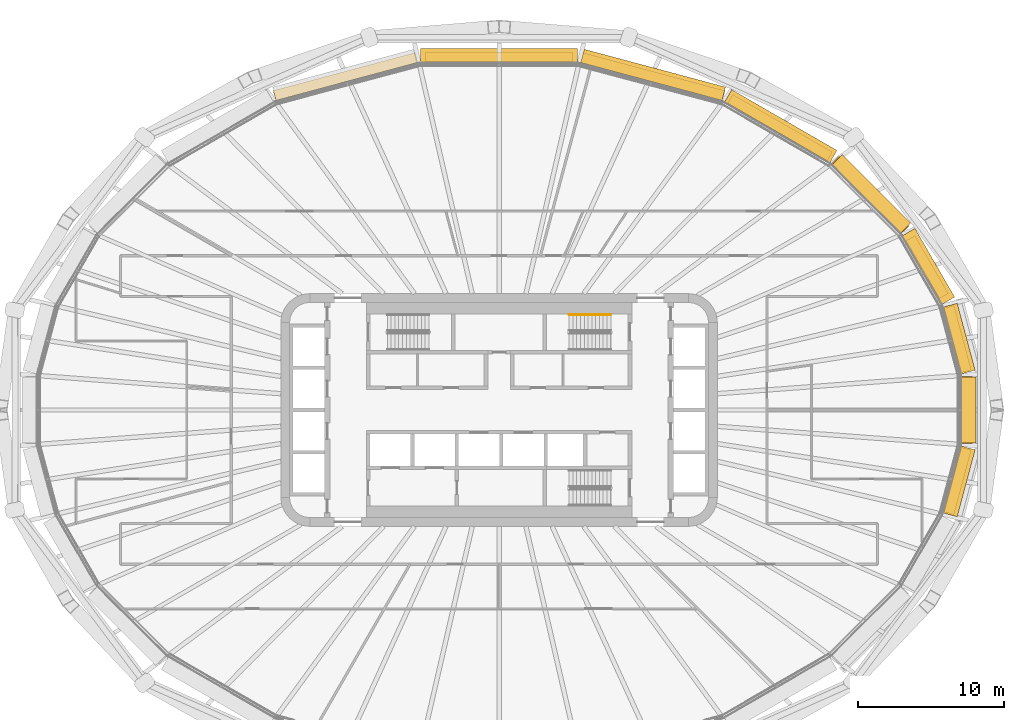
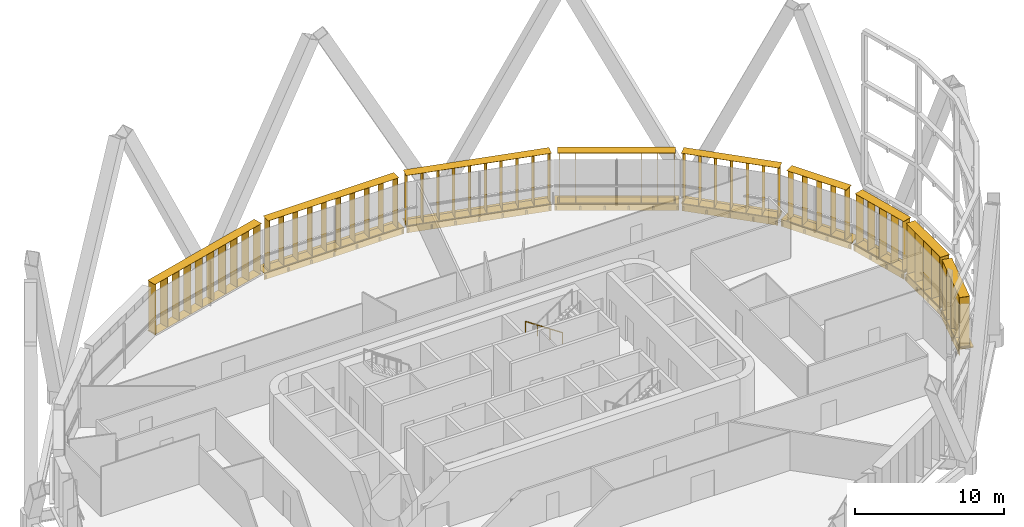
# One storey, part 26 of 26: 17 shading devices, 1 railing.
"""IFC4 building model written with IfcOpenShell, lengths in metres."""

from ifc_helpers import new_model, si_unit, direction, frame, origin, origin_2d, place, context, subcontext, project, spatial, rectangle, circle, extrude, material, type_object, element, save


model = new_model("IFC4")

# Units and contexts
model_context = context("Model", 3, precision=1e-05, world=origin(), true_north=direction((0.0, 1.0)))
body_context = subcontext(model_context, "Body", "Model", "MODEL_VIEW")
ifc_project = project(units=[si_unit("LENGTHUNIT", "METRE"), si_unit("AREAUNIT", "SQUARE_METRE"), si_unit("VOLUMEUNIT", "CUBIC_METRE"), si_unit("PLANEANGLEUNIT", "RADIAN"), si_unit("MASSUNIT", "GRAM", prefix="KILO")], contexts=[model_context])

# Site, building, storey
site_placement = place(None, origin())
site = spatial("IfcSite", under=ifc_project, at=site_placement, CompositionType="ELEMENT")
building_placement = place(site_placement, origin())
building = spatial("IfcBuilding", under=site, at=building_placement, Name="Sahrelin Media Tower", CompositionType="ELEMENT")
storey_placement = place(building_placement, frame((0.0, 0.0, 131.39990234375)))
storey = spatial("IfcBuildingStorey", under=building, at=storey_placement, Name="L26", CompositionType="ELEMENT", Elevation=131.39990234375)

# Shading devices
ifc_material_1 = material(Name="Champagne anodised aluminium 6063-T6", Category="aluminium")
shading_device_type_1 = type_object("IfcShadingDeviceType", Name="Fin cassette", PredefinedType="USERDEFINED", material=ifc_material_1)
placement_1 = place(storey_placement, frame((31.749267578125, 0.0, 0.0), z_axis=(0.0, 0.0, 1.0), x_axis=(0.0, -1.0, 0.0)))
element("IfcShadingDevice", 1, at=placement_1, inside=storey, type_object=shading_device_type_1, Name="L26:FIN:L26-00", ObjectType="FIN", PredefinedType="USERDEFINED", context=body_context, shape_type="SweptSolid", body=[
    extrude(rectangle(XDim=4.60009765625, YDim=0.699951171875, at=origin_2d()), frame((0.0, 0.419921875, 0.0)), (0.0, 0.0, 1.0), 0.02001953125),
    extrude(rectangle(XDim=4.60009765625, YDim=0.699951171875, at=origin_2d()), frame((0.0, 0.419921875, 4.10009765625)), (0.0, 0.0, 1.0), 0.02001953125),
    extrude(rectangle(XDim=0.02001953125, YDim=0.699951171875, at=origin_2d()), frame((-2.199951171875, 0.419921875, 0.010009765625), z_axis=(0.0, 0.0, 1.0), x_axis=(1.0, 0.0, 0.0)), (0.0, 0.0, 1.0), 4.10009765625),
    extrude(rectangle(XDim=0.02001953125, YDim=0.699951171875, at=origin_2d()), frame((-1.10009765625, 0.419921875, 0.010009765625), z_axis=(0.0, 0.0, 1.0), x_axis=(1.0, 0.0, 0.0)), (0.0, 0.0, 1.0), 4.10009765625),
    extrude(rectangle(XDim=0.02001953125, YDim=0.699951171875, at=origin_2d()), frame((0.0, 0.419921875, 0.010009765625), z_axis=(0.0, 0.0, 1.0), x_axis=(1.0, 0.0, 0.0)), (0.0, 0.0, 1.0), 4.10009765625),
    extrude(rectangle(XDim=0.02001953125, YDim=0.699951171875, at=origin_2d()), frame((1.10009765625, 0.419921875, 0.010009765625), z_axis=(0.0, 0.0, 1.0), x_axis=(1.0, 0.0, 0.0)), (0.0, 0.0, 1.0), 4.10009765625),
    extrude(rectangle(XDim=0.02001953125, YDim=0.699951171875, at=origin_2d()), frame((2.199951171875, 0.419921875, 0.010009765625), z_axis=(0.0, 0.0, 1.0), x_axis=(1.0, 0.0, 0.0)), (0.0, 0.0, 1.0), 4.10009765625),
])
placement_2 = place(storey_placement, frame((31.107421875, 4.76806640625, 0.0), z_axis=(0.0, 0.0, 1.0), x_axis=(0.258807731996, -0.965928857556, 0.0)))
element("IfcShadingDevice", 2, at=placement_2, inside=storey, type_object=shading_device_type_1, Name="L26:FIN:L26-01", ObjectType="FIN", PredefinedType="USERDEFINED", context=body_context, shape_type="SweptSolid", body=[
    extrude(rectangle(XDim=4.60009765625, YDim=0.699951171875, at=origin_2d()), frame((0.0, 0.419921875, 0.0)), (0.0, 0.0, 1.0), 0.02001953125),
    extrude(rectangle(XDim=4.60009765625, YDim=0.699951171875, at=origin_2d()), frame((0.0, 0.419921875, 4.10009765625)), (0.0, 0.0, 1.0), 0.02001953125),
    extrude(rectangle(XDim=0.02001953125, YDim=0.699951171875, at=origin_2d()), frame((-2.199951171875, 0.419921875, 0.010009765625), z_axis=(0.0, 0.0, 1.0), x_axis=(1.0, 0.0, 0.0)), (0.0, 0.0, 1.0), 4.10009765625),
    extrude(rectangle(XDim=0.02001953125, YDim=0.699951171875, at=origin_2d()), frame((-1.10009765625, 0.419921875, 0.010009765625), z_axis=(0.0, 0.0, 1.0), x_axis=(1.0, 0.0, 0.0)), (0.0, 0.0, 1.0), 4.10009765625),
    extrude(rectangle(XDim=0.02001953125, YDim=0.699951171875, at=origin_2d()), frame((0.0, 0.419921875, 0.010009765625), z_axis=(0.0, 0.0, 1.0), x_axis=(1.0, 0.0, 0.0)), (0.0, 0.0, 1.0), 4.10009765625),
    extrude(rectangle(XDim=0.02001953125, YDim=0.699951171875, at=origin_2d()), frame((1.10009765625, 0.419921875, 0.010009765625), z_axis=(0.0, 0.0, 1.0), x_axis=(1.0, 0.0, 0.0)), (0.0, 0.0, 1.0), 4.10009765625),
    extrude(rectangle(XDim=0.02001953125, YDim=0.699951171875, at=origin_2d()), frame((2.199951171875, 0.419921875, 0.010009765625), z_axis=(0.0, 0.0, 1.0), x_axis=(1.0, 0.0, 0.0)), (0.0, 0.0, 1.0), 4.10009765625),
])
placement_3 = place(storey_placement, frame((29.053955078125, 9.608642578125, 0.0), z_axis=(0.0, 0.0, 1.0), x_axis=(0.500011000363, -0.866019052629, 0.0)))
element("IfcShadingDevice", 3, at=placement_3, inside=storey, type_object=shading_device_type_1, Name="L26:FIN:L26-02", ObjectType="FIN", PredefinedType="USERDEFINED", context=body_context, shape_type="SweptSolid", body=[
    extrude(rectangle(XDim=4.60009765625, YDim=0.699951171875, at=origin_2d()), frame((0.0, 0.419921875, 0.0)), (0.0, 0.0, 1.0), 0.02001953125),
    extrude(rectangle(XDim=4.60009765625, YDim=0.699951171875, at=origin_2d()), frame((0.0, 0.419921875, 4.10009765625)), (0.0, 0.0, 1.0), 0.02001953125),
    extrude(rectangle(XDim=0.02001953125, YDim=0.699951171875, at=origin_2d()), frame((-2.199951171875, 0.419921875, 0.010009765625), z_axis=(0.0, 0.0, 1.0), x_axis=(1.0, 0.0, 0.0)), (0.0, 0.0, 1.0), 4.10009765625),
    extrude(rectangle(XDim=0.02001953125, YDim=0.699951171875, at=origin_2d()), frame((-1.10009765625, 0.419921875, 0.010009765625), z_axis=(0.0, 0.0, 1.0), x_axis=(1.0, 0.0, 0.0)), (0.0, 0.0, 1.0), 4.10009765625),
    extrude(rectangle(XDim=0.02001953125, YDim=0.699951171875, at=origin_2d()), frame((0.0, 0.419921875, 0.010009765625), z_axis=(0.0, 0.0, 1.0), x_axis=(1.0, 0.0, 0.0)), (0.0, 0.0, 1.0), 4.10009765625),
    extrude(rectangle(XDim=0.02001953125, YDim=0.699951171875, at=origin_2d()), frame((1.10009765625, 0.419921875, 0.010009765625), z_axis=(0.0, 0.0, 1.0), x_axis=(1.0, 0.0, 0.0)), (0.0, 0.0, 1.0), 4.10009765625),
    extrude(rectangle(XDim=0.02001953125, YDim=0.699951171875, at=origin_2d()), frame((2.199951171875, 0.419921875, 0.010009765625), z_axis=(0.0, 0.0, 1.0), x_axis=(1.0, 0.0, 0.0)), (0.0, 0.0, 1.0), 4.10009765625),
])
placement_4 = place(storey_placement, frame((25.2177734375, 14.477783203125, 0.0), z_axis=(0.0, 0.0, 1.0), x_axis=(0.707106781187, -0.707106781187, 0.0)))
element("IfcShadingDevice", 4, at=placement_4, inside=storey, type_object=shading_device_type_1, Name="L26:FIN:L26-03", ObjectType="FIN", PredefinedType="USERDEFINED", context=body_context, shape_type="SweptSolid", body=[
    extrude(rectangle(XDim=6.800048828125, YDim=0.699951171875, at=origin_2d()), frame((0.0, 0.419921875, 0.0)), (0.0, 0.0, 1.0), 0.02001953125),
    extrude(rectangle(XDim=6.800048828125, YDim=0.699951171875, at=origin_2d()), frame((0.0, 0.419921875, 4.10009765625)), (0.0, 0.0, 1.0), 0.02001953125),
    extrude(rectangle(XDim=0.02001953125, YDim=0.699951171875, at=origin_2d()), frame((-3.300048828125, 0.419921875, 0.010009765625), z_axis=(0.0, 0.0, 1.0), x_axis=(1.0, 0.0, 0.0)), (0.0, 0.0, 1.0), 4.10009765625),
    extrude(rectangle(XDim=0.02001953125, YDim=0.699951171875, at=origin_2d()), frame((-2.199951171875, 0.419921875, 0.010009765625), z_axis=(0.0, 0.0, 1.0), x_axis=(1.0, 0.0, 0.0)), (0.0, 0.0, 1.0), 4.10009765625),
    extrude(rectangle(XDim=0.02001953125, YDim=0.699951171875, at=origin_2d()), frame((-1.10009765625, 0.419921875, 0.010009765625), z_axis=(0.0, 0.0, 1.0), x_axis=(1.0, 0.0, 0.0)), (0.0, 0.0, 1.0), 4.10009765625),
    extrude(rectangle(XDim=0.02001953125, YDim=0.699951171875, at=origin_2d()), frame((0.0, 0.419921875, 0.010009765625), z_axis=(0.0, 0.0, 1.0), x_axis=(1.0, 0.0, 0.0)), (0.0, 0.0, 1.0), 4.10009765625),
    extrude(rectangle(XDim=0.02001953125, YDim=0.699951171875, at=origin_2d()), frame((1.10009765625, 0.419921875, 0.010009765625), z_axis=(0.0, 0.0, 1.0), x_axis=(1.0, 0.0, 0.0)), (0.0, 0.0, 1.0), 4.10009765625),
    extrude(rectangle(XDim=0.02001953125, YDim=0.699951171875, at=origin_2d()), frame((2.199951171875, 0.419921875, 0.010009765625), z_axis=(0.0, 0.0, 1.0), x_axis=(1.0, 0.0, 0.0)), (0.0, 0.0, 1.0), 4.10009765625),
    extrude(rectangle(XDim=0.02001953125, YDim=0.699951171875, at=origin_2d()), frame((3.300048828125, 0.419921875, 0.010009765625), z_axis=(0.0, 0.0, 1.0), x_axis=(1.0, 0.0, 0.0)), (0.0, 0.0, 1.0), 4.10009765625),
])
placement_5 = place(storey_placement, frame((19.092041015625, 19.039306640625, 0.0), z_axis=(0.0, 0.0, 1.0), x_axis=(0.866019052629, -0.500011000363, 0.0)))
element("IfcShadingDevice", 5, at=placement_5, inside=storey, type_object=shading_device_type_1, Name="L26:FIN:L26-04", ObjectType="FIN", PredefinedType="USERDEFINED", context=body_context, shape_type="SweptSolid", body=[
    extrude(rectangle(XDim=7.89990234375, YDim=0.699951171875, at=origin_2d()), frame((0.0, 0.419921875, 0.0)), (0.0, 0.0, 1.0), 0.02001953125),
    extrude(rectangle(XDim=7.89990234375, YDim=0.699951171875, at=origin_2d()), frame((0.0, 0.419921875, 4.10009765625)), (0.0, 0.0, 1.0), 0.02001953125),
    extrude(rectangle(XDim=0.02001953125, YDim=0.699951171875, at=origin_2d()), frame((-3.85009765625, 0.419921875, 0.010009765625), z_axis=(0.0, 0.0, 1.0), x_axis=(1.0, 0.0, 0.0)), (0.0, 0.0, 1.0), 4.10009765625),
    extrude(rectangle(XDim=0.02001953125, YDim=0.699951171875, at=origin_2d()), frame((-2.75, 0.419921875, 0.010009765625), z_axis=(0.0, 0.0, 1.0), x_axis=(1.0, 0.0, 0.0)), (0.0, 0.0, 1.0), 4.10009765625),
    extrude(rectangle(XDim=0.02001953125, YDim=0.699951171875, at=origin_2d()), frame((-1.64990234375, 0.419921875, 0.010009765625), z_axis=(0.0, 0.0, 1.0), x_axis=(1.0, 0.0, 0.0)), (0.0, 0.0, 1.0), 4.10009765625),
    extrude(rectangle(XDim=0.02001953125, YDim=0.699951171875, at=origin_2d()), frame((-0.550048828125, 0.419921875, 0.010009765625), z_axis=(0.0, 0.0, 1.0), x_axis=(1.0, 0.0, 0.0)), (0.0, 0.0, 1.0), 4.10009765625),
    extrude(rectangle(XDim=0.02001953125, YDim=0.699951171875, at=origin_2d()), frame((0.550048828125, 0.419921875, 0.010009765625), z_axis=(0.0, 0.0, 1.0), x_axis=(1.0, 0.0, 0.0)), (0.0, 0.0, 1.0), 4.10009765625),
    extrude(rectangle(XDim=0.02001953125, YDim=0.699951171875, at=origin_2d()), frame((1.64990234375, 0.419921875, 0.010009765625), z_axis=(0.0, 0.0, 1.0), x_axis=(1.0, 0.0, 0.0)), (0.0, 0.0, 1.0), 4.10009765625),
    extrude(rectangle(XDim=0.02001953125, YDim=0.699951171875, at=origin_2d()), frame((2.75, 0.419921875, 0.010009765625), z_axis=(0.0, 0.0, 1.0), x_axis=(1.0, 0.0, 0.0)), (0.0, 0.0, 1.0), 4.10009765625),
    extrude(rectangle(XDim=0.02001953125, YDim=0.699951171875, at=origin_2d()), frame((3.85009765625, 0.419921875, 0.010009765625), z_axis=(0.0, 0.0, 1.0), x_axis=(1.0, 0.0, 0.0)), (0.0, 0.0, 1.0), 4.10009765625),
])
placement_6 = place(storey_placement, frame((10.4443359375, 22.501708984375, 0.0), z_axis=(0.0, 0.0, 1.0), x_axis=(0.965928857556, -0.258807731996, 0.0)))
element("IfcShadingDevice", 6, at=placement_6, inside=storey, type_object=shading_device_type_1, Name="L26:FIN:L26-05", ObjectType="FIN", PredefinedType="USERDEFINED", context=body_context, shape_type="SweptSolid", body=[
    extrude(rectangle(XDim=10.10009765625, YDim=0.699951171875, at=origin_2d()), frame((0.0, 0.419921875, 0.0)), (0.0, 0.0, 1.0), 0.02001953125),
    extrude(rectangle(XDim=10.10009765625, YDim=0.699951171875, at=origin_2d()), frame((0.0, 0.419921875, 4.10009765625)), (0.0, 0.0, 1.0), 0.02001953125),
    extrude(rectangle(XDim=0.02001953125, YDim=0.699951171875, at=origin_2d()), frame((-4.949951171875, 0.419921875, 0.010009765625), z_axis=(0.0, 0.0, 1.0), x_axis=(1.0, 0.0, 0.0)), (0.0, 0.0, 1.0), 4.10009765625),
    extrude(rectangle(XDim=0.02001953125, YDim=0.699951171875, at=origin_2d()), frame((-3.85009765625, 0.419921875, 0.010009765625), z_axis=(0.0, 0.0, 1.0), x_axis=(1.0, 0.0, 0.0)), (0.0, 0.0, 1.0), 4.10009765625),
    extrude(rectangle(XDim=0.02001953125, YDim=0.699951171875, at=origin_2d()), frame((-2.75, 0.419921875, 0.010009765625), z_axis=(0.0, 0.0, 1.0), x_axis=(1.0, 0.0, 0.0)), (0.0, 0.0, 1.0), 4.10009765625),
    extrude(rectangle(XDim=0.02001953125, YDim=0.699951171875, at=origin_2d()), frame((-1.64990234375, 0.419921875, 0.010009765625), z_axis=(0.0, 0.0, 1.0), x_axis=(1.0, 0.0, 0.0)), (0.0, 0.0, 1.0), 4.10009765625),
    extrude(rectangle(XDim=0.02001953125, YDim=0.699951171875, at=origin_2d()), frame((-0.550048828125, 0.419921875, 0.010009765625), z_axis=(0.0, 0.0, 1.0), x_axis=(1.0, 0.0, 0.0)), (0.0, 0.0, 1.0), 4.10009765625),
    extrude(rectangle(XDim=0.02001953125, YDim=0.699951171875, at=origin_2d()), frame((0.550048828125, 0.419921875, 0.010009765625), z_axis=(0.0, 0.0, 1.0), x_axis=(1.0, 0.0, 0.0)), (0.0, 0.0, 1.0), 4.10009765625),
    extrude(rectangle(XDim=0.02001953125, YDim=0.699951171875, at=origin_2d()), frame((1.64990234375, 0.419921875, 0.010009765625), z_axis=(0.0, 0.0, 1.0), x_axis=(1.0, 0.0, 0.0)), (0.0, 0.0, 1.0), 4.10009765625),
    extrude(rectangle(XDim=0.02001953125, YDim=0.699951171875, at=origin_2d()), frame((2.75, 0.419921875, 0.010009765625), z_axis=(0.0, 0.0, 1.0), x_axis=(1.0, 0.0, 0.0)), (0.0, 0.0, 1.0), 4.10009765625),
    extrude(rectangle(XDim=0.02001953125, YDim=0.699951171875, at=origin_2d()), frame((3.85009765625, 0.419921875, 0.010009765625), z_axis=(0.0, 0.0, 1.0), x_axis=(1.0, 0.0, 0.0)), (0.0, 0.0, 1.0), 4.10009765625),
    extrude(rectangle(XDim=0.02001953125, YDim=0.699951171875, at=origin_2d()), frame((4.949951171875, 0.419921875, 0.010009765625), z_axis=(0.0, 0.0, 1.0), x_axis=(1.0, 0.0, 0.0)), (0.0, 0.0, 1.0), 4.10009765625),
])
placement_7 = place(storey_placement, frame((0.0, 23.826904296875, 0.0), z_axis=(0.0, 0.0, 1.0), x_axis=(1.0, 0.0, 0.0)))
element("IfcShadingDevice", 7, at=placement_7, inside=storey, type_object=shading_device_type_1, Name="L26:FIN:L26-06", ObjectType="FIN", PredefinedType="USERDEFINED", context=body_context, shape_type="SweptSolid", body=[
    extrude(rectangle(XDim=10.10009765625, YDim=0.699951171875, at=origin_2d()), frame((0.0, 0.419921875, 0.0)), (0.0, 0.0, 1.0), 0.02001953125),
    extrude(rectangle(XDim=10.10009765625, YDim=0.699951171875, at=origin_2d()), frame((0.0, 0.419921875, 4.10009765625)), (0.0, 0.0, 1.0), 0.02001953125),
    extrude(rectangle(XDim=0.02001953125, YDim=0.699951171875, at=origin_2d()), frame((-4.949951171875, 0.419921875, 0.010009765625), z_axis=(0.0, 0.0, 1.0), x_axis=(1.0, 0.0, 0.0)), (0.0, 0.0, 1.0), 4.10009765625),
    extrude(rectangle(XDim=0.02001953125, YDim=0.699951171875, at=origin_2d()), frame((-3.85009765625, 0.419921875, 0.010009765625), z_axis=(0.0, 0.0, 1.0), x_axis=(1.0, 0.0, 0.0)), (0.0, 0.0, 1.0), 4.10009765625),
    extrude(rectangle(XDim=0.02001953125, YDim=0.699951171875, at=origin_2d()), frame((-2.75, 0.419921875, 0.010009765625), z_axis=(0.0, 0.0, 1.0), x_axis=(1.0, 0.0, 0.0)), (0.0, 0.0, 1.0), 4.10009765625),
    extrude(rectangle(XDim=0.02001953125, YDim=0.699951171875, at=origin_2d()), frame((-1.64990234375, 0.419921875, 0.010009765625), z_axis=(0.0, 0.0, 1.0), x_axis=(1.0, 0.0, 0.0)), (0.0, 0.0, 1.0), 4.10009765625),
    extrude(rectangle(XDim=0.02001953125, YDim=0.699951171875, at=origin_2d()), frame((-0.550048828125, 0.419921875, 0.010009765625), z_axis=(0.0, 0.0, 1.0), x_axis=(1.0, 0.0, 0.0)), (0.0, 0.0, 1.0), 4.10009765625),
    extrude(rectangle(XDim=0.02001953125, YDim=0.699951171875, at=origin_2d()), frame((0.550048828125, 0.419921875, 0.010009765625), z_axis=(0.0, 0.0, 1.0), x_axis=(1.0, 0.0, 0.0)), (0.0, 0.0, 1.0), 4.10009765625),
    extrude(rectangle(XDim=0.02001953125, YDim=0.699951171875, at=origin_2d()), frame((1.64990234375, 0.419921875, 0.010009765625), z_axis=(0.0, 0.0, 1.0), x_axis=(1.0, 0.0, 0.0)), (0.0, 0.0, 1.0), 4.10009765625),
    extrude(rectangle(XDim=0.02001953125, YDim=0.699951171875, at=origin_2d()), frame((2.75, 0.419921875, 0.010009765625), z_axis=(0.0, 0.0, 1.0), x_axis=(1.0, 0.0, 0.0)), (0.0, 0.0, 1.0), 4.10009765625),
    extrude(rectangle(XDim=0.02001953125, YDim=0.699951171875, at=origin_2d()), frame((3.85009765625, 0.419921875, 0.010009765625), z_axis=(0.0, 0.0, 1.0), x_axis=(1.0, 0.0, 0.0)), (0.0, 0.0, 1.0), 4.10009765625),
    extrude(rectangle(XDim=0.02001953125, YDim=0.699951171875, at=origin_2d()), frame((4.949951171875, 0.419921875, 0.010009765625), z_axis=(0.0, 0.0, 1.0), x_axis=(1.0, 0.0, 0.0)), (0.0, 0.0, 1.0), 4.10009765625),
])
shading_device_8_placement = place(storey_placement, frame((-10.4443359375, 22.501708984375, 0.0), z_axis=(0.0, 0.0, 1.0), x_axis=(0.965928857556, 0.258807731996, 0.0)))
element("IfcShadingDevice", 8, at=shading_device_8_placement, inside=storey, type_object=shading_device_type_1, Name="L26:FIN:L26-07", ObjectType="FIN", PredefinedType="USERDEFINED", context=body_context, shape_type="SweptSolid", body=[
    extrude(rectangle(XDim=10.10009765625, YDim=0.699951171875, at=origin_2d()), frame((0.0, 0.419921875, 0.0)), (0.0, 0.0, 1.0), 0.02001953125),
    extrude(rectangle(XDim=10.10009765625, YDim=0.699951171875, at=origin_2d()), frame((0.0, 0.419921875, 4.10009765625)), (0.0, 0.0, 1.0), 0.02001953125),
    extrude(rectangle(XDim=0.02001953125, YDim=0.699951171875, at=origin_2d()), frame((-4.949951171875, 0.419921875, 0.010009765625), z_axis=(0.0, 0.0, 1.0), x_axis=(1.0, 0.0, 0.0)), (0.0, 0.0, 1.0), 4.10009765625),
    extrude(rectangle(XDim=0.02001953125, YDim=0.699951171875, at=origin_2d()), frame((-3.85009765625, 0.419921875, 0.010009765625), z_axis=(0.0, 0.0, 1.0), x_axis=(1.0, 0.0, 0.0)), (0.0, 0.0, 1.0), 4.10009765625),
    extrude(rectangle(XDim=0.02001953125, YDim=0.699951171875, at=origin_2d()), frame((-2.75, 0.419921875, 0.010009765625), z_axis=(0.0, 0.0, 1.0), x_axis=(1.0, 0.0, 0.0)), (0.0, 0.0, 1.0), 4.10009765625),
    extrude(rectangle(XDim=0.02001953125, YDim=0.699951171875, at=origin_2d()), frame((-1.64990234375, 0.419921875, 0.010009765625), z_axis=(0.0, 0.0, 1.0), x_axis=(1.0, 0.0, 0.0)), (0.0, 0.0, 1.0), 4.10009765625),
    extrude(rectangle(XDim=0.02001953125, YDim=0.699951171875, at=origin_2d()), frame((-0.550048828125, 0.419921875, 0.010009765625), z_axis=(0.0, 0.0, 1.0), x_axis=(1.0, 0.0, 0.0)), (0.0, 0.0, 1.0), 4.10009765625),
    extrude(rectangle(XDim=0.02001953125, YDim=0.699951171875, at=origin_2d()), frame((0.550048828125, 0.419921875, 0.010009765625), z_axis=(0.0, 0.0, 1.0), x_axis=(1.0, 0.0, 0.0)), (0.0, 0.0, 1.0), 4.10009765625),
    extrude(rectangle(XDim=0.02001953125, YDim=0.699951171875, at=origin_2d()), frame((1.64990234375, 0.419921875, 0.010009765625), z_axis=(0.0, 0.0, 1.0), x_axis=(1.0, 0.0, 0.0)), (0.0, 0.0, 1.0), 4.10009765625),
    extrude(rectangle(XDim=0.02001953125, YDim=0.699951171875, at=origin_2d()), frame((2.75, 0.419921875, 0.010009765625), z_axis=(0.0, 0.0, 1.0), x_axis=(1.0, 0.0, 0.0)), (0.0, 0.0, 1.0), 4.10009765625),
    extrude(rectangle(XDim=0.02001953125, YDim=0.699951171875, at=origin_2d()), frame((3.85009765625, 0.419921875, 0.010009765625), z_axis=(0.0, 0.0, 1.0), x_axis=(1.0, 0.0, 0.0)), (0.0, 0.0, 1.0), 4.10009765625),
    extrude(rectangle(XDim=0.02001953125, YDim=0.699951171875, at=origin_2d()), frame((4.949951171875, 0.419921875, 0.010009765625), z_axis=(0.0, 0.0, 1.0), x_axis=(1.0, 0.0, 0.0)), (0.0, 0.0, 1.0), 4.10009765625),
])
placement_8 = place(storey_placement, frame((31.107421875, -4.76806640625, 0.0), z_axis=(0.0, 0.0, 1.0), x_axis=(-0.258807731996, -0.965928857556, 0.0)))
element("IfcShadingDevice", 9, at=placement_8, inside=storey, type_object=shading_device_type_1, Name="L26:FIN:L26-23", ObjectType="FIN", PredefinedType="USERDEFINED", context=body_context, shape_type="SweptSolid", body=[
    extrude(rectangle(XDim=4.60009765625, YDim=0.699951171875, at=origin_2d()), frame((0.0, 0.419921875, 0.0)), (0.0, 0.0, 1.0), 0.02001953125),
    extrude(rectangle(XDim=4.60009765625, YDim=0.699951171875, at=origin_2d()), frame((0.0, 0.419921875, 4.10009765625)), (0.0, 0.0, 1.0), 0.02001953125),
    extrude(rectangle(XDim=0.02001953125, YDim=0.699951171875, at=origin_2d()), frame((-2.199951171875, 0.419921875, 0.010009765625), z_axis=(0.0, 0.0, 1.0), x_axis=(1.0, 0.0, 0.0)), (0.0, 0.0, 1.0), 4.10009765625),
    extrude(rectangle(XDim=0.02001953125, YDim=0.699951171875, at=origin_2d()), frame((-1.10009765625, 0.419921875, 0.010009765625), z_axis=(0.0, 0.0, 1.0), x_axis=(1.0, 0.0, 0.0)), (0.0, 0.0, 1.0), 4.10009765625),
    extrude(rectangle(XDim=0.02001953125, YDim=0.699951171875, at=origin_2d()), frame((0.0, 0.419921875, 0.010009765625), z_axis=(0.0, 0.0, 1.0), x_axis=(1.0, 0.0, 0.0)), (0.0, 0.0, 1.0), 4.10009765625),
    extrude(rectangle(XDim=0.02001953125, YDim=0.699951171875, at=origin_2d()), frame((1.10009765625, 0.419921875, 0.010009765625), z_axis=(0.0, 0.0, 1.0), x_axis=(1.0, 0.0, 0.0)), (0.0, 0.0, 1.0), 4.10009765625),
    extrude(rectangle(XDim=0.02001953125, YDim=0.699951171875, at=origin_2d()), frame((2.199951171875, 0.419921875, 0.010009765625), z_axis=(0.0, 0.0, 1.0), x_axis=(1.0, 0.0, 0.0)), (0.0, 0.0, 1.0), 4.10009765625),
])

# Railing
ifc_material_2 = material(Name="Steel S355", Category="steel")
railing_type = type_object("IfcRailingType", Name="Stair handrail 900", PredefinedType="HANDRAIL", material=ifc_material_2)
railing_placement = place(storey_placement, frame((7.675048828125, 6.550048828125, 0.175048828125)))
element("IfcRailing", 10, at=railing_placement, inside=storey, type_object=railing_type, Name="L26 ST3 stair handrail 1", PredefinedType="HANDRAIL", context=body_context, shape_type="SweptSolid", body=[
    extrude(circle(Radius=0.02392578125, at=origin_2d()), frame((0.0, 0.0, 0.8759765625), z_axis=(-0.829590901723, 0.0, 0.558371682465), x_axis=(0.0, -1.0, 0.0)), (0.0, 0.0, 1.0), 3.447509765625),
    extrude(circle(Radius=0.02099609375, at=origin_2d()), origin(), (0.0, 0.0, 1.0), 0.851806640625),
    extrude(circle(Radius=0.02099609375, at=origin_2d()), frame((-0.953369140625, 0.0, 0.6416015625)), (0.0, 0.0, 1.0), 0.851806640625),
    extrude(circle(Radius=0.02099609375, at=origin_2d()), frame((-1.90673828125, 0.0, 1.283447265625)), (0.0, 0.0, 1.0), 0.851806640625),
    extrude(circle(Radius=0.02099609375, at=origin_2d()), frame((-2.860107421875, 0.0, 1.925048828125)), (0.0, 0.0, 1.0), 0.851806640625),
])

# Shading devices
shading_device_type_2 = type_object("IfcShadingDeviceType", Name="Sunshade band", PredefinedType="USERDEFINED", material=ifc_material_1)
element("IfcShadingDevice", 11, at=placement_1, inside=storey, type_object=shading_device_type_2, Name="L26:SUN:L26-00", ObjectType="SUNSHADE", PredefinedType="USERDEFINED", context=body_context, shape_type="SweptSolid", body=[
    extrude(rectangle(XDim=4.543701171875, YDim=0.050048828125, at=origin_2d()), frame((0.0, 0.044921875, -0.55126953125)), (0.0, 0.0, 1.0), 0.471435546875),
    extrude(rectangle(XDim=4.543701171875, YDim=1.0, at=origin_2d()), frame((0.0, 0.52001953125, -0.080078125)), (0.0, 0.0, 1.0), 0.080078125),
    extrude(rectangle(XDim=0.10009765625, YDim=0.074951171875, at=origin_2d()), frame((-2.171875, -0.017578125, -0.47021484375)), (0.0, 0.0, 1.0), 0.300048828125),
    extrude(rectangle(XDim=0.10009765625, YDim=0.074951171875, at=origin_2d()), frame((-0.72412109375, -0.017578125, -0.47021484375)), (0.0, 0.0, 1.0), 0.300048828125),
    extrude(rectangle(XDim=0.10009765625, YDim=0.074951171875, at=origin_2d()), frame((0.72412109375, -0.017578125, -0.47021484375)), (0.0, 0.0, 1.0), 0.300048828125),
    extrude(rectangle(XDim=0.10009765625, YDim=0.074951171875, at=origin_2d()), frame((2.171875, -0.017578125, -0.47021484375)), (0.0, 0.0, 1.0), 0.300048828125),
])
element("IfcShadingDevice", 12, at=placement_2, inside=storey, type_object=shading_device_type_2, Name="L26:SUN:L26-01", ObjectType="SUNSHADE", PredefinedType="USERDEFINED", context=body_context, shape_type="SweptSolid", body=[
    extrude(rectangle(XDim=4.761474609375, YDim=0.050048828125, at=origin_2d()), frame((0.0, 0.044921875, -0.55126953125)), (0.0, 0.0, 1.0), 0.471435546875),
    extrude(rectangle(XDim=4.761474609375, YDim=1.0, at=origin_2d()), frame((0.0, 0.52001953125, -0.080078125)), (0.0, 0.0, 1.0), 0.080078125),
    extrude(rectangle(XDim=0.10009765625, YDim=0.074951171875, at=origin_2d()), frame((-2.28076171875, -0.017578125, -0.47021484375)), (0.0, 0.0, 1.0), 0.300048828125),
    extrude(rectangle(XDim=0.10009765625, YDim=0.074951171875, at=origin_2d()), frame((-0.76025390625, -0.017578125, -0.47021484375)), (0.0, 0.0, 1.0), 0.300048828125),
    extrude(rectangle(XDim=0.10009765625, YDim=0.074951171875, at=origin_2d()), frame((0.76025390625, -0.017578125, -0.47021484375)), (0.0, 0.0, 1.0), 0.300048828125),
    extrude(rectangle(XDim=0.10009765625, YDim=0.074951171875, at=origin_2d()), frame((2.28076171875, -0.017578125, -0.47021484375)), (0.0, 0.0, 1.0), 0.300048828125),
])
element("IfcShadingDevice", 13, at=placement_3, inside=storey, type_object=shading_device_type_2, Name="L26:SUN:L26-02", ObjectType="SUNSHADE", PredefinedType="USERDEFINED", context=body_context, shape_type="SweptSolid", body=[
    extrude(rectangle(XDim=5.445068359375, YDim=0.050048828125, at=origin_2d()), frame((0.0, 0.044921875, -0.55126953125)), (0.0, 0.0, 1.0), 0.471435546875),
    extrude(rectangle(XDim=5.445068359375, YDim=1.0, at=origin_2d()), frame((0.0, 0.52001953125, -0.080078125)), (0.0, 0.0, 1.0), 0.080078125),
    extrude(rectangle(XDim=0.10009765625, YDim=0.074951171875, at=origin_2d()), frame((-2.62255859375, -0.017578125, -0.47021484375)), (0.0, 0.0, 1.0), 0.300048828125),
    extrude(rectangle(XDim=0.10009765625, YDim=0.074951171875, at=origin_2d()), frame((-0.874267578125, -0.017578125, -0.47021484375)), (0.0, 0.0, 1.0), 0.300048828125),
    extrude(rectangle(XDim=0.10009765625, YDim=0.074951171875, at=origin_2d()), frame((0.874267578125, -0.017578125, -0.47021484375)), (0.0, 0.0, 1.0), 0.300048828125),
    extrude(rectangle(XDim=0.10009765625, YDim=0.074951171875, at=origin_2d()), frame((2.62255859375, -0.017578125, -0.47021484375)), (0.0, 0.0, 1.0), 0.300048828125),
])
element("IfcShadingDevice", 14, at=placement_4, inside=storey, type_object=shading_device_type_2, Name="L26:SUN:L26-03", ObjectType="SUNSHADE", PredefinedType="USERDEFINED", context=body_context, shape_type="SweptSolid", body=[
    extrude(rectangle(XDim=6.658203125, YDim=0.050048828125, at=origin_2d()), frame((0.0, 0.044921875, -0.55126953125)), (0.0, 0.0, 1.0), 0.471435546875),
    extrude(rectangle(XDim=6.658203125, YDim=1.0, at=origin_2d()), frame((0.0, 0.52001953125, -0.080078125)), (0.0, 0.0, 1.0), 0.080078125),
    extrude(rectangle(XDim=0.10009765625, YDim=0.074951171875, at=origin_2d()), frame((-3.22900390625, -0.017578125, -0.47021484375)), (0.0, 0.0, 1.0), 0.300048828125),
    extrude(rectangle(XDim=0.10009765625, YDim=0.074951171875, at=origin_2d()), frame((-1.614501953125, -0.017578125, -0.47021484375)), (0.0, 0.0, 1.0), 0.300048828125),
    extrude(rectangle(XDim=0.10009765625, YDim=0.074951171875, at=origin_2d()), frame((0.0, -0.017578125, -0.47021484375)), (0.0, 0.0, 1.0), 0.300048828125),
    extrude(rectangle(XDim=0.10009765625, YDim=0.074951171875, at=origin_2d()), frame((1.614501953125, -0.017578125, -0.47021484375)), (0.0, 0.0, 1.0), 0.300048828125),
    extrude(rectangle(XDim=0.10009765625, YDim=0.074951171875, at=origin_2d()), frame((3.22900390625, -0.017578125, -0.47021484375)), (0.0, 0.0, 1.0), 0.300048828125),
])
element("IfcShadingDevice", 15, at=placement_5, inside=storey, type_object=shading_device_type_2, Name="L26:SUN:L26-04", ObjectType="SUNSHADE", PredefinedType="USERDEFINED", context=body_context, shape_type="SweptSolid", body=[
    extrude(rectangle(XDim=8.347412109375, YDim=0.050048828125, at=origin_2d()), frame((0.0, 0.044921875, -0.55126953125)), (0.0, 0.0, 1.0), 0.471435546875),
    extrude(rectangle(XDim=8.347412109375, YDim=1.0, at=origin_2d()), frame((0.0, 0.52001953125, -0.080078125)), (0.0, 0.0, 1.0), 0.080078125),
    extrude(rectangle(XDim=0.10009765625, YDim=0.074951171875, at=origin_2d()), frame((-4.073486328125, -0.017578125, -0.47021484375)), (0.0, 0.0, 1.0), 0.300048828125),
    extrude(rectangle(XDim=0.10009765625, YDim=0.074951171875, at=origin_2d()), frame((-2.444091796875, -0.017578125, -0.47021484375)), (0.0, 0.0, 1.0), 0.300048828125),
    extrude(rectangle(XDim=0.10009765625, YDim=0.074951171875, at=origin_2d()), frame((-0.814697265625, -0.017578125, -0.47021484375)), (0.0, 0.0, 1.0), 0.300048828125),
    extrude(rectangle(XDim=0.10009765625, YDim=0.074951171875, at=origin_2d()), frame((0.814697265625, -0.017578125, -0.47021484375)), (0.0, 0.0, 1.0), 0.300048828125),
    extrude(rectangle(XDim=0.10009765625, YDim=0.074951171875, at=origin_2d()), frame((2.444091796875, -0.017578125, -0.47021484375)), (0.0, 0.0, 1.0), 0.300048828125),
    extrude(rectangle(XDim=0.10009765625, YDim=0.074951171875, at=origin_2d()), frame((4.073486328125, -0.017578125, -0.47021484375)), (0.0, 0.0, 1.0), 0.300048828125),
])
element("IfcShadingDevice", 16, at=placement_6, inside=storey, type_object=shading_device_type_2, Name="L26:SUN:L26-05", ObjectType="SUNSHADE", PredefinedType="USERDEFINED", context=body_context, shape_type="SweptSolid", body=[
    extrude(rectangle(XDim=10.0419921875, YDim=0.050048828125, at=origin_2d()), frame((0.0, 0.044921875, -0.55126953125)), (0.0, 0.0, 1.0), 0.471435546875),
    extrude(rectangle(XDim=10.0419921875, YDim=1.0, at=origin_2d()), frame((0.0, 0.52001953125, -0.080078125)), (0.0, 0.0, 1.0), 0.080078125),
    extrude(rectangle(XDim=0.10009765625, YDim=0.074951171875, at=origin_2d()), frame((-4.9208984375, -0.017578125, -0.47021484375)), (0.0, 0.0, 1.0), 0.300048828125),
    extrude(rectangle(XDim=0.10009765625, YDim=0.074951171875, at=origin_2d()), frame((-3.28076171875, -0.017578125, -0.47021484375)), (0.0, 0.0, 1.0), 0.300048828125),
    extrude(rectangle(XDim=0.10009765625, YDim=0.074951171875, at=origin_2d()), frame((-1.640380859375, -0.017578125, -0.47021484375)), (0.0, 0.0, 1.0), 0.300048828125),
    extrude(rectangle(XDim=0.10009765625, YDim=0.074951171875, at=origin_2d()), frame((0.0, -0.017578125, -0.47021484375)), (0.0, 0.0, 1.0), 0.300048828125),
    extrude(rectangle(XDim=0.10009765625, YDim=0.074951171875, at=origin_2d()), frame((1.640380859375, -0.017578125, -0.47021484375)), (0.0, 0.0, 1.0), 0.300048828125),
    extrude(rectangle(XDim=0.10009765625, YDim=0.074951171875, at=origin_2d()), frame((3.28076171875, -0.017578125, -0.47021484375)), (0.0, 0.0, 1.0), 0.300048828125),
    extrude(rectangle(XDim=0.10009765625, YDim=0.074951171875, at=origin_2d()), frame((4.9208984375, -0.017578125, -0.47021484375)), (0.0, 0.0, 1.0), 0.300048828125),
])
element("IfcShadingDevice", 17, at=placement_7, inside=storey, type_object=shading_device_type_2, Name="L26:SUN:L26-06", ObjectType="SUNSHADE", PredefinedType="USERDEFINED", context=body_context, shape_type="SweptSolid", body=[
    extrude(rectangle(XDim=10.7958984375, YDim=0.050048828125, at=origin_2d()), frame((0.0, 0.044921875, -0.55126953125)), (0.0, 0.0, 1.0), 0.471435546875),
    extrude(rectangle(XDim=10.7958984375, YDim=1.0, at=origin_2d()), frame((0.0, 0.52001953125, -0.080078125)), (0.0, 0.0, 1.0), 0.080078125),
    extrude(rectangle(XDim=0.10009765625, YDim=0.074951171875, at=origin_2d()), frame((-5.2978515625, -0.017578125, -0.47021484375)), (0.0, 0.0, 1.0), 0.300048828125),
    extrude(rectangle(XDim=0.10009765625, YDim=0.074951171875, at=origin_2d()), frame((-3.531982421875, -0.017578125, -0.47021484375)), (0.0, 0.0, 1.0), 0.300048828125),
    extrude(rectangle(XDim=0.10009765625, YDim=0.074951171875, at=origin_2d()), frame((-1.76611328125, -0.017578125, -0.47021484375)), (0.0, 0.0, 1.0), 0.300048828125),
    extrude(rectangle(XDim=0.10009765625, YDim=0.074951171875, at=origin_2d()), frame((0.0, -0.017578125, -0.47021484375)), (0.0, 0.0, 1.0), 0.300048828125),
    extrude(rectangle(XDim=0.10009765625, YDim=0.074951171875, at=origin_2d()), frame((1.76611328125, -0.017578125, -0.47021484375)), (0.0, 0.0, 1.0), 0.300048828125),
    extrude(rectangle(XDim=0.10009765625, YDim=0.074951171875, at=origin_2d()), frame((3.531982421875, -0.017578125, -0.47021484375)), (0.0, 0.0, 1.0), 0.300048828125),
    extrude(rectangle(XDim=0.10009765625, YDim=0.074951171875, at=origin_2d()), frame((5.2978515625, -0.017578125, -0.47021484375)), (0.0, 0.0, 1.0), 0.300048828125),
])
element("IfcShadingDevice", 18, at=placement_8, inside=storey, type_object=shading_device_type_2, Name="L26:SUN:L26-23", ObjectType="SUNSHADE", PredefinedType="USERDEFINED", context=body_context, shape_type="SweptSolid", body=[
    extrude(rectangle(XDim=4.761474609375, YDim=0.050048828125, at=origin_2d()), frame((0.0, 0.044921875, -0.55126953125)), (0.0, 0.0, 1.0), 0.471435546875),
    extrude(rectangle(XDim=4.761474609375, YDim=1.0, at=origin_2d()), frame((0.0, 0.52001953125, -0.080078125)), (0.0, 0.0, 1.0), 0.080078125),
    extrude(rectangle(XDim=0.10009765625, YDim=0.074951171875, at=origin_2d()), frame((-2.28076171875, -0.017578125, -0.47021484375)), (0.0, 0.0, 1.0), 0.300048828125),
    extrude(rectangle(XDim=0.10009765625, YDim=0.074951171875, at=origin_2d()), frame((-0.76025390625, -0.017578125, -0.47021484375)), (0.0, 0.0, 1.0), 0.300048828125),
    extrude(rectangle(XDim=0.10009765625, YDim=0.074951171875, at=origin_2d()), frame((0.76025390625, -0.017578125, -0.47021484375)), (0.0, 0.0, 1.0), 0.300048828125),
    extrude(rectangle(XDim=0.10009765625, YDim=0.074951171875, at=origin_2d()), frame((2.28076171875, -0.017578125, -0.47021484375)), (0.0, 0.0, 1.0), 0.300048828125),
])

save(model, "model.ifc")
